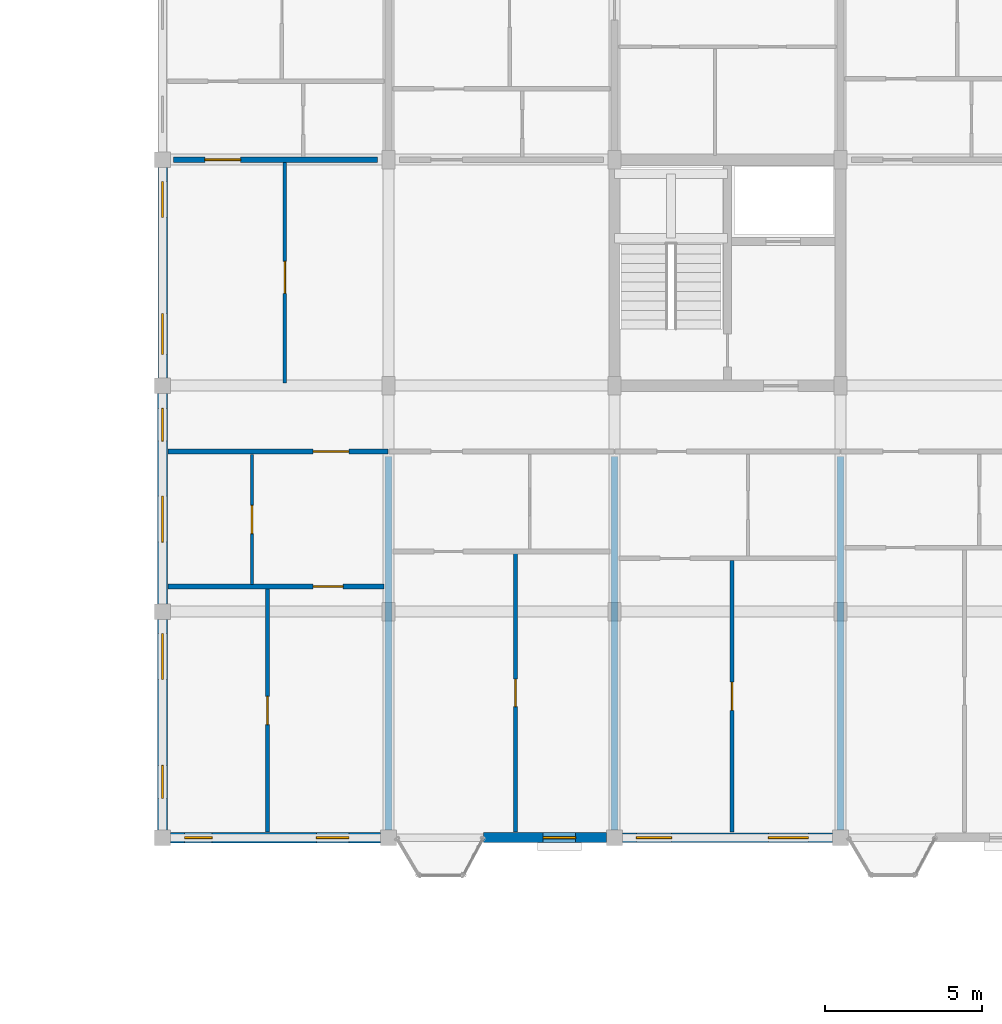
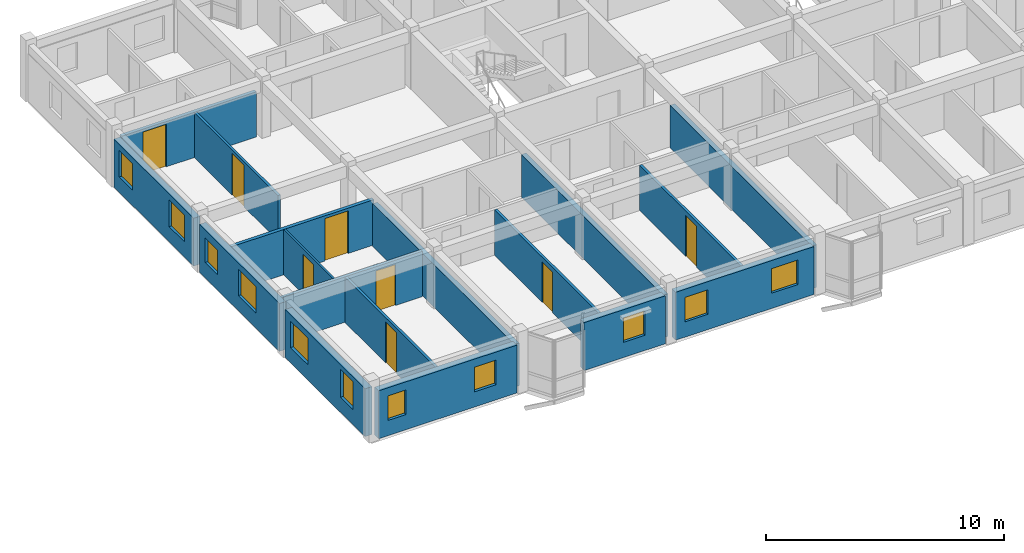
# One storey, part 59 of 70: 17 walls, 11 windows, 8 doors, 19 openings.
"""IFC4 building model written with IfcOpenShell, lengths in metres."""

from ifc_helpers import new_model, si_unit, direction, frame, frame_2d, origin, place, context, subcontext, project, spatial, rectangle, extrude, material, layer, layer_set, type_object, element, fill, save


model = new_model("IFC4")

# Units and contexts
model_context = context("Model", 3, precision=1e-05, world=origin(), true_north=direction((0.0, 1.0)))
body_context = subcontext(model_context, "Body", "Model", "MODEL_VIEW")
ifc_project = project(units=[si_unit("LENGTHUNIT", "METRE"), si_unit("AREAUNIT", "SQUARE_METRE"), si_unit("VOLUMEUNIT", "CUBIC_METRE"), si_unit("PLANEANGLEUNIT", "RADIAN"), si_unit("MASSUNIT", "GRAM", prefix="KILO"), si_unit("THERMODYNAMICTEMPERATUREUNIT", "KELVIN"), si_unit("POWERUNIT", "WATT")], contexts=[model_context])

# Site, building, storey
site_placement = place(None, origin())
site = spatial("IfcSite", under=ifc_project, at=site_placement, CompositionType="ELEMENT")
building_placement = place(site_placement, origin())
building = spatial("IfcBuilding", under=site, at=building_placement, Name="Tavuni Mirador Residences", CompositionType="ELEMENT")
storey_placement = place(building_placement, frame((0.0, 0.0, 23.39990234375)))
storey = spatial("IfcBuildingStorey", under=building, at=storey_placement, Name="L07", CompositionType="ELEMENT", Elevation=23.39990234375)

# Wall, opening, door
ifc_material_1 = material(Name="Precast concrete C40/50", Category="concrete")
ifc_layer_1 = layer(ifc_material_1, 0.1650390625, Name="Precast concrete C40/50", Category="concrete")
ifc_layer_set_1 = layer_set([ifc_layer_1], Name="Precast concrete C40/50")
wall_type_1 = type_object("IfcWallType", Name="WT-CORR165", PredefinedType="PARTITIONING", material=ifc_layer_set_1)
wall_1_placement = place(storey_placement, frame((10.97509765625, 156.300048828125, 0.0), z_axis=(0.0, 0.0, 1.0), x_axis=(1.0, 0.0, 0.0)))
wall_1 = element("IfcWall", 1, at=wall_1_placement, inside=storey, type_object=wall_type_1, Name="CORW-BLK-C-L07-0-00", PredefinedType="PARTITIONING", context=body_context, shape_type="SweptSolid", body=[
    extrude(rectangle(XDim=7.0048828125, YDim=0.1650390625, at=frame_2d((3.50244140625, 0.0))), origin(), (0.0, 0.0, 1.0), 2.320068359375),
])
opening_1_placement = place(wall_1_placement, frame((4.625, 0.0, 0.0)))
opening_1 = element("IfcOpeningElement", 2, at=opening_1_placement, cuts=wall_1, Name="Opening D-20", PredefinedType="OPENING", context=body_context, shape_type="SweptSolid", body=[
    extrude(rectangle(XDim=1.139892578125, YDim=2.179931640625, at=frame_2d((0.56982421875, 1.08984375))), frame((0.0, 0.092529296875, 0.0), z_axis=(0.0, -1.0, 0.0), x_axis=(1.0, 0.0, 0.0)), (0.0, 0.0, 1.0), 0.18505859375),
])
ifc_material_2 = material(Name="Solid core iroko timber", Category="wood")
door_type_1 = type_object("IfcDoorType", Name="DT-FD60-1140", OperationType="NOTDEFINED", PredefinedType="DOOR", material=ifc_material_2)
door_1_placement = place(opening_1_placement, origin())
door_1 = element("IfcDoor", 3, at=door_1_placement, inside=storey, type_object=door_type_1, Name="DR-2723", OperationType="SINGLE_SWING_RIGHT", OverallHeight=2.179931640625, OverallWidth=1.139892578125, PredefinedType="DOOR", context=body_context, shape_type="SweptSolid", body=[
    extrude(rectangle(XDim=1.139892578125, YDim=2.179931640625, at=frame_2d((0.56982421875, 1.08984375))), frame((0.0, 0.02490234375, 0.0), z_axis=(0.0, -1.0, 0.0), x_axis=(1.0, 0.0, 0.0)), (0.0, 0.0, 1.0), 0.050048828125),
])
fill(opening_1, door_1)

wall_2_placement = place(storey_placement, frame((11.14990234375, 165.60009765625, 0.0), z_axis=(0.0, 0.0, 1.0), x_axis=(1.0, 0.0, 0.0)))
wall_2 = element("IfcWall", 4, at=wall_2_placement, inside=storey, type_object=wall_type_1, Name="CORW-BLK-C-L07-1-00", PredefinedType="PARTITIONING", context=body_context, shape_type="SweptSolid", body=[
    extrude(rectangle(XDim=6.5, YDim=0.1650390625, at=frame_2d((3.25, 0.0))), origin(), (0.0, 0.0, 1.0), 2.320068359375),
])
opening_2_placement = place(wall_2_placement, frame((1.0, 0.0, 0.0)))
opening_2 = element("IfcOpeningElement", 5, at=opening_2_placement, cuts=wall_2, Name="Opening D-20", PredefinedType="OPENING", context=body_context, shape_type="SweptSolid", body=[
    extrude(rectangle(XDim=1.139892578125, YDim=2.179931640625, at=frame_2d((0.56982421875, 1.08984375))), frame((0.0, 0.092529296875, 0.0), z_axis=(0.0, -1.0, 0.0), x_axis=(1.0, 0.0, 0.0)), (0.0, 0.0, 1.0), 0.18505859375),
])
door_2_placement = place(opening_2_placement, origin())
door_2 = element("IfcDoor", 6, at=door_2_placement, inside=storey, type_object=door_type_1, Name="DR-2732", OperationType="SINGLE_SWING_LEFT", OverallHeight=2.179931640625, OverallWidth=1.139892578125, PredefinedType="DOOR", context=body_context, shape_type="SweptSolid", body=[
    extrude(rectangle(XDim=1.139892578125, YDim=2.179931640625, at=frame_2d((0.56982421875, 1.08984375))), frame((0.0, 0.02490234375, 0.0), z_axis=(0.0, -1.0, 0.0), x_axis=(1.0, 0.0, 0.0)), (0.0, 0.0, 1.0), 0.050048828125),
])
fill(opening_2, door_2)

# Wall, openings, windows
ifc_layer_2 = layer(ifc_material_1, 0.330078125, Name="Precast concrete C40/50", Category="concrete")
ifc_layer_set_2 = layer_set([ifc_layer_2], Name="Precast concrete C40/50")
wall_type_2 = type_object("IfcWallType", Name="WT-EXT-COR330", PredefinedType="SOLIDWALL", material=ifc_layer_set_2)
wall_3_placement = place(storey_placement, frame((11.050048828125, 144.0, 0.0), z_axis=(0.0, 0.0, 1.0), x_axis=(1.0, 0.0, 0.0)))
wall_3 = element("IfcWall", 7, at=wall_3_placement, inside=storey, type_object=wall_type_2, Name="EW-BLK-C-L07-S00", PredefinedType="SOLIDWALL", context=body_context, shape_type="SweptSolid", body=[
    extrude(rectangle(XDim=6.699951171875, YDim=0.330078125, at=frame_2d((3.35009765625, 0.0))), origin(), (0.0, 0.0, 1.0), 2.455078125),
])
opening_3_placement = place(wall_3_placement, frame((0.449951171875, 0.0, 0.780029296875)))
opening_3 = element("IfcOpeningElement", 8, at=opening_3_placement, cuts=wall_3, Name="Opening WN-09", PredefinedType="OPENING", context=body_context, shape_type="SweptSolid", body=[
    extrude(rectangle(XDim=0.8798828125, YDim=1.260009765625, at=frame_2d((0.43994140625, 0.6298828125))), frame((0.0, 0.175048828125, 0.0), z_axis=(0.0, -1.0, 0.0), x_axis=(1.0, 0.0, 0.0)), (0.0, 0.0, 1.0), 0.35009765625),
])
opening_4_placement = place(wall_3_placement, frame((4.64990234375, 0.0, 0.780029296875)))
opening_4 = element("IfcOpeningElement", 9, at=opening_4_placement, cuts=wall_3, Name="Opening WN-11", PredefinedType="OPENING", context=body_context, shape_type="SweptSolid", body=[
    extrude(rectangle(XDim=1.0400390625, YDim=1.260009765625, at=frame_2d((0.52001953125, 0.6298828125))), frame((0.0, 0.175048828125, 0.0), z_axis=(0.0, -1.0, 0.0), x_axis=(1.0, 0.0, 0.0)), (0.0, 0.0, 1.0), 0.35009765625),
])
ifc_material_3 = material(Name="Laminated solar-control glass", Category="glass")
window_type_1 = type_object("IfcWindowType", Name="WNT-09", PartitioningType="SINGLE_PANEL", PredefinedType="WINDOW", material=ifc_material_3)
window_1_placement = place(opening_3_placement, origin())
window_1 = element("IfcWindow", 10, at=window_1_placement, inside=storey, type_object=window_type_1, Name="WIN-1141", OverallHeight=1.260009765625, OverallWidth=0.8798828125, PartitioningType="SINGLE_PANEL", PredefinedType="WINDOW", context=body_context, shape_type="SweptSolid", body=[
    extrude(rectangle(XDim=0.8798828125, YDim=1.260009765625, at=frame_2d((0.43994140625, 0.6298828125))), frame((0.0, 0.030029296875, 0.0), z_axis=(0.0, -1.0, 0.0), x_axis=(1.0, 0.0, 0.0)), (0.0, 0.0, 1.0), 0.06005859375),
])
fill(opening_3, window_1)
window_type_2 = type_object("IfcWindowType", Name="WNT-11", PartitioningType="SINGLE_PANEL", PredefinedType="WINDOW", material=ifc_material_3)
window_2_placement = place(opening_4_placement, origin())
window_2 = element("IfcWindow", 11, at=window_2_placement, inside=storey, type_object=window_type_2, Name="WIN-1142", OverallHeight=1.260009765625, OverallWidth=1.0400390625, PartitioningType="SINGLE_PANEL", PredefinedType="WINDOW", context=body_context, shape_type="SweptSolid", body=[
    extrude(rectangle(XDim=1.0400390625, YDim=1.260009765625, at=frame_2d((0.52001953125, 0.6298828125))), frame((0.0, 0.030029296875, 0.0), z_axis=(0.0, -1.0, 0.0), x_axis=(1.0, 0.0, 0.0)), (0.0, 0.0, 1.0), 0.06005859375),
])
fill(opening_4, window_2)

wall_4_placement = place(storey_placement, frame((10.800048828125, 150.949951171875, 0.0), z_axis=(0.0, 0.0, 1.0), x_axis=(0.0, -1.0, 0.0)))
wall_4 = element("IfcWall", 12, at=wall_4_placement, inside=storey, type_object=wall_type_2, Name="EW-BLK-C-L07-W00", PredefinedType="SOLIDWALL", context=body_context, shape_type="SweptSolid", body=[
    extrude(rectangle(XDim=6.699951171875, YDim=0.330078125, at=frame_2d((3.35009765625, 0.0))), origin(), (0.0, 0.0, 1.0), 2.455078125),
])
opening_5_placement = place(wall_4_placement, frame((0.449951171875, 0.0, 0.780029296875)))
opening_5 = element("IfcOpeningElement", 13, at=opening_5_placement, cuts=wall_4, Name="Opening WN-24", PredefinedType="OPENING", context=body_context, shape_type="SweptSolid", body=[
    extrude(rectangle(XDim=1.4599609375, YDim=1.360107421875, at=frame_2d((0.72998046875, 0.68017578125))), frame((0.0, 0.175048828125, 0.0), z_axis=(0.0, -1.0, 0.0), x_axis=(1.0, 0.0, 0.0)), (0.0, 0.0, 1.0), 0.35009765625),
])
opening_6_placement = place(wall_4_placement, frame((4.64990234375, 0.0, 0.780029296875)))
opening_6 = element("IfcOpeningElement", 14, at=opening_6_placement, cuts=wall_4, Name="Opening WN-26", PredefinedType="OPENING", context=body_context, shape_type="SweptSolid", body=[
    extrude(rectangle(XDim=1.050048828125, YDim=1.43994140625, at=frame_2d((0.52490234375, 0.719970703125))), frame((0.0, 0.175048828125, 0.0), z_axis=(0.0, -1.0, 0.0), x_axis=(1.0, 0.0, 0.0)), (0.0, 0.0, 1.0), 0.35009765625),
])
window_type_3 = type_object("IfcWindowType", Name="WNT-24", PartitioningType="SINGLE_PANEL", PredefinedType="WINDOW", material=ifc_material_3)
window_3_placement = place(opening_5_placement, origin())
window_3 = element("IfcWindow", 15, at=window_3_placement, inside=storey, type_object=window_type_3, Name="WIN-1186", OverallHeight=1.360107421875, OverallWidth=1.4599609375, PartitioningType="SINGLE_PANEL", PredefinedType="WINDOW", context=body_context, shape_type="SweptSolid", body=[
    extrude(rectangle(XDim=1.4599609375, YDim=1.360107421875, at=frame_2d((0.72998046875, 0.68017578125))), frame((0.0, 0.030029296875, 0.0), z_axis=(0.0, -1.0, 0.0), x_axis=(1.0, 0.0, 0.0)), (0.0, 0.0, 1.0), 0.06005859375),
])
fill(opening_5, window_3)
window_type_4 = type_object("IfcWindowType", Name="WNT-26", PartitioningType="SINGLE_PANEL", PredefinedType="WINDOW", material=ifc_material_3)
window_4_placement = place(opening_6_placement, origin())
window_4 = element("IfcWindow", 16, at=window_4_placement, inside=storey, type_object=window_type_4, Name="WIN-1187", OverallHeight=1.43994140625, OverallWidth=1.050048828125, PartitioningType="SINGLE_PANEL", PredefinedType="WINDOW", context=body_context, shape_type="SweptSolid", body=[
    extrude(rectangle(XDim=1.050048828125, YDim=1.43994140625, at=frame_2d((0.52490234375, 0.719970703125))), frame((0.0, 0.030029296875, 0.0), z_axis=(0.0, -1.0, 0.0), x_axis=(1.0, 0.0, 0.0)), (0.0, 0.0, 1.0), 0.06005859375),
])
fill(opening_6, window_4)

ifc_material_4 = material(Name="Sgraffito lime-rendered precast concrete C40/50", Category="concrete")
ifc_layer_3 = layer(ifc_material_4, 0.304931640625, Name="Sgraffito lime-rendered precast concrete C40/50", Category="concrete")
ifc_layer_set_3 = layer_set([ifc_layer_3], Name="Sgraffito lime-rendered precast concrete C40/50")
wall_type_3 = type_object("IfcWallType", Name="WT-EXT-PC305", PredefinedType="SOLIDWALL", material=ifc_layer_set_3)
wall_5_placement = place(storey_placement, frame((25.449951171875, 144.0, 0.0), z_axis=(0.0, 0.0, 1.0), x_axis=(1.0, 0.0, 0.0)))
wall_5 = element("IfcWall", 17, at=wall_5_placement, inside=storey, type_object=wall_type_3, Name="EW-BLK-C-L07-S02", PredefinedType="SOLIDWALL", context=body_context, shape_type="SweptSolid", body=[
    extrude(rectangle(XDim=6.699951171875, YDim=0.304931640625, at=frame_2d((3.35009765625, 0.0))), origin(), (0.0, 0.0, 1.0), 2.455078125),
])
opening_7_placement = place(wall_5_placement, frame((0.449951171875, 0.0, 0.780029296875)))
opening_7 = element("IfcOpeningElement", 18, at=opening_7_placement, cuts=wall_5, Name="Opening WN-12", PredefinedType="OPENING", context=body_context, shape_type="SweptSolid", body=[
    extrude(rectangle(XDim=1.1201171875, YDim=1.260009765625, at=frame_2d((0.56005859375, 0.6298828125))), frame((0.0, 0.16259765625, 0.0), z_axis=(0.0, -1.0, 0.0), x_axis=(1.0, 0.0, 0.0)), (0.0, 0.0, 1.0), 0.324951171875),
])
opening_8_placement = place(wall_5_placement, frame((4.64990234375, 0.0, 0.780029296875)))
opening_8 = element("IfcOpeningElement", 19, at=opening_8_placement, cuts=wall_5, Name="Opening WN-14", PredefinedType="OPENING", context=body_context, shape_type="SweptSolid", body=[
    extrude(rectangle(XDim=1.280029296875, YDim=1.260009765625, at=frame_2d((0.64013671875, 0.6298828125))), frame((0.0, 0.16259765625, 0.0), z_axis=(0.0, -1.0, 0.0), x_axis=(1.0, 0.0, 0.0)), (0.0, 0.0, 1.0), 0.324951171875),
])
window_type_5 = type_object("IfcWindowType", Name="WNT-12", PartitioningType="SINGLE_PANEL", PredefinedType="WINDOW", material=ifc_material_3)
window_5_placement = place(opening_7_placement, origin())
window_5 = element("IfcWindow", 20, at=window_5_placement, inside=storey, type_object=window_type_5, Name="WIN-1144", OverallHeight=1.260009765625, OverallWidth=1.1201171875, PartitioningType="SINGLE_PANEL", PredefinedType="WINDOW", context=body_context, shape_type="SweptSolid", body=[
    extrude(rectangle(XDim=1.1201171875, YDim=1.260009765625, at=frame_2d((0.56005859375, 0.6298828125))), frame((0.0, 0.030029296875, 0.0), z_axis=(0.0, -1.0, 0.0), x_axis=(1.0, 0.0, 0.0)), (0.0, 0.0, 1.0), 0.06005859375),
])
fill(opening_7, window_5)
window_type_6 = type_object("IfcWindowType", Name="WNT-14", PartitioningType="SINGLE_PANEL", PredefinedType="WINDOW", material=ifc_material_3)
window_6_placement = place(opening_8_placement, origin())
window_6 = element("IfcWindow", 21, at=window_6_placement, inside=storey, type_object=window_type_6, Name="WIN-1145", OverallHeight=1.260009765625, OverallWidth=1.280029296875, PartitioningType="SINGLE_PANEL", PredefinedType="WINDOW", context=body_context, shape_type="SweptSolid", body=[
    extrude(rectangle(XDim=1.280029296875, YDim=1.260009765625, at=frame_2d((0.64013671875, 0.6298828125))), frame((0.0, 0.030029296875, 0.0), z_axis=(0.0, -1.0, 0.0), x_axis=(1.0, 0.0, 0.0)), (0.0, 0.0, 1.0), 0.06005859375),
])
fill(opening_8, window_6)

wall_6_placement = place(storey_placement, frame((10.800048828125, 165.35009765625, 0.0), z_axis=(0.0, 0.0, 1.0), x_axis=(0.0, -1.0, 0.0)))
wall_6 = element("IfcWall", 22, at=wall_6_placement, inside=storey, type_object=wall_type_3, Name="EW-BLK-C-L07-W02", PredefinedType="SOLIDWALL", context=body_context, shape_type="SweptSolid", body=[
    extrude(rectangle(XDim=6.7001953125, YDim=0.304931640625, at=frame_2d((3.35009765625, 0.0))), origin(), (0.0, 0.0, 1.0), 2.455078125),
])
opening_9_placement = place(wall_6_placement, frame((0.449951171875, 0.0, 0.780029296875)))
opening_9 = element("IfcOpeningElement", 23, at=opening_9_placement, cuts=wall_6, Name="Opening WN-20", PredefinedType="OPENING", context=body_context, shape_type="SweptSolid", body=[
    extrude(rectangle(XDim=1.139892578125, YDim=1.360107421875, at=frame_2d((0.56982421875, 0.68017578125))), frame((0.0, 0.16259765625, 0.0), z_axis=(0.0, -1.0, 0.0), x_axis=(1.0, 0.0, 0.0)), (0.0, 0.0, 1.0), 0.324951171875),
])
opening_10_placement = place(wall_6_placement, frame((4.64990234375, 0.0, 0.780029296875)))
opening_10 = element("IfcOpeningElement", 24, at=opening_10_placement, cuts=wall_6, Name="Opening WN-22", PredefinedType="OPENING", context=body_context, shape_type="SweptSolid", body=[
    extrude(rectangle(XDim=1.300048828125, YDim=1.360107421875, at=frame_2d((0.64990234375, 0.68017578125))), frame((0.0, 0.16259765625, 0.0), z_axis=(0.0, -1.0, 0.0), x_axis=(1.0, 0.0, 0.0)), (0.0, 0.0, 1.0), 0.324951171875),
])
window_type_7 = type_object("IfcWindowType", Name="WNT-20", PartitioningType="SINGLE_PANEL", PredefinedType="WINDOW", material=ifc_material_3)
window_7_placement = place(opening_9_placement, origin())
window_7 = element("IfcWindow", 25, at=window_7_placement, inside=storey, type_object=window_type_7, Name="WIN-1182", OverallHeight=1.360107421875, OverallWidth=1.139892578125, PartitioningType="SINGLE_PANEL", PredefinedType="WINDOW", context=body_context, shape_type="SweptSolid", body=[
    extrude(rectangle(XDim=1.139892578125, YDim=1.360107421875, at=frame_2d((0.56982421875, 0.68017578125))), frame((0.0, 0.030029296875, 0.0), z_axis=(0.0, -1.0, 0.0), x_axis=(1.0, 0.0, 0.0)), (0.0, 0.0, 1.0), 0.06005859375),
])
fill(opening_9, window_7)
window_type_8 = type_object("IfcWindowType", Name="WNT-22", PartitioningType="SINGLE_PANEL", PredefinedType="WINDOW", material=ifc_material_3)
window_8_placement = place(opening_10_placement, origin())
window_8 = element("IfcWindow", 26, at=window_8_placement, inside=storey, type_object=window_type_8, Name="WIN-1183", OverallHeight=1.360107421875, OverallWidth=1.300048828125, PartitioningType="SINGLE_PANEL", PredefinedType="WINDOW", context=body_context, shape_type="SweptSolid", body=[
    extrude(rectangle(XDim=1.300048828125, YDim=1.360107421875, at=frame_2d((0.64990234375, 0.68017578125))), frame((0.0, 0.030029296875, 0.0), z_axis=(0.0, -1.0, 0.0), x_axis=(1.0, 0.0, 0.0)), (0.0, 0.0, 1.0), 0.06005859375),
])
fill(opening_10, window_8)

# Wall, opening, window
ifc_layer_4 = layer(ifc_material_4, 0.31494140625, Name="Sgraffito lime-rendered precast concrete C40/50", Category="concrete")
ifc_layer_set_4 = layer_set([ifc_layer_4], Name="Sgraffito lime-rendered precast concrete C40/50")
wall_type_4 = type_object("IfcWallType", Name="WT-EXT-PC315", PredefinedType="SOLIDWALL", material=ifc_layer_set_4)
wall_7_placement = place(storey_placement, frame((21.02001953125, 144.0, 0.0), z_axis=(0.0, 0.0, 1.0), x_axis=(1.0, 0.0, 0.0)))
wall_7 = element("IfcWall", 27, at=wall_7_placement, inside=storey, type_object=wall_type_4, Name="EW-BLK-C-L07-S01", PredefinedType="SOLIDWALL", context=body_context, shape_type="SweptSolid", body=[
    extrude(rectangle(XDim=3.929931640625, YDim=0.31494140625, at=frame_2d((1.96484375, 0.0))), origin(), (0.0, 0.0, 1.0), 2.455078125),
])
opening_11_placement = place(wall_7_placement, frame((1.905029296875, 0.0, 0.780029296875)))
opening_11 = element("IfcOpeningElement", 28, at=opening_11_placement, cuts=wall_7, Name="Opening WN-11", PredefinedType="OPENING", context=body_context, shape_type="SweptSolid", body=[
    extrude(rectangle(XDim=1.0400390625, YDim=1.260009765625, at=frame_2d((0.52001953125, 0.6298828125))), frame((0.0, 0.16748046875, 0.0), z_axis=(0.0, -1.0, 0.0), x_axis=(1.0, 0.0, 0.0)), (0.0, 0.0, 1.0), 0.3349609375),
])
window_9_placement = place(opening_11_placement, origin())
window_9 = element("IfcWindow", 29, at=window_9_placement, inside=storey, type_object=window_type_2, Name="WIN-1143", OverallHeight=1.260009765625, OverallWidth=1.0400390625, PartitioningType="SINGLE_PANEL", PredefinedType="WINDOW", context=body_context, shape_type="SweptSolid", body=[
    extrude(rectangle(XDim=1.0400390625, YDim=1.260009765625, at=frame_2d((0.52001953125, 0.6298828125))), frame((0.0, 0.030029296875, 0.0), z_axis=(0.0, -1.0, 0.0), x_axis=(1.0, 0.0, 0.0)), (0.0, 0.0, 1.0), 0.06005859375),
])
fill(opening_11, window_9)

# Wall, openings, windows
wall_8_placement = place(storey_placement, frame((10.800048828125, 158.14990234375, 0.0), z_axis=(0.0, 0.0, 1.0), x_axis=(0.0, -1.0, 0.0)))
wall_8 = element("IfcWall", 30, at=wall_8_placement, inside=storey, type_object=wall_type_4, Name="EW-BLK-C-L07-W01", PredefinedType="SOLIDWALL", context=body_context, shape_type="SweptSolid", body=[
    extrude(rectangle(XDim=6.699951171875, YDim=0.31494140625, at=frame_2d((3.35009765625, 0.0))), origin(), (0.0, 0.0, 1.0), 2.455078125),
])
opening_12_placement = place(wall_8_placement, frame((0.47509765625, 0.0, 0.780029296875)))
opening_12 = element("IfcOpeningElement", 31, at=opening_12_placement, cuts=wall_8, Name="Opening WN-11", PredefinedType="OPENING", context=body_context, shape_type="SweptSolid", body=[
    extrude(rectangle(XDim=1.0400390625, YDim=1.260009765625, at=frame_2d((0.52001953125, 0.6298828125))), frame((0.0, 0.16748046875, 0.0), z_axis=(0.0, -1.0, 0.0), x_axis=(1.0, 0.0, 0.0)), (0.0, 0.0, 1.0), 0.3349609375),
])
opening_13_placement = place(wall_8_placement, frame((3.27001953125, 0.0, 0.780029296875)))
opening_13 = element("IfcOpeningElement", 32, at=opening_13_placement, cuts=wall_8, Name="Opening WN-24", PredefinedType="OPENING", context=body_context, shape_type="SweptSolid", body=[
    extrude(rectangle(XDim=1.4599609375, YDim=1.360107421875, at=frame_2d((0.72998046875, 0.68017578125))), frame((0.0, 0.16748046875, 0.0), z_axis=(0.0, -1.0, 0.0), x_axis=(1.0, 0.0, 0.0)), (0.0, 0.0, 1.0), 0.3349609375),
])
window_10_placement = place(opening_12_placement, origin())
window_10 = element("IfcWindow", 33, at=window_10_placement, inside=storey, type_object=window_type_2, Name="WIN-1184", OverallHeight=1.260009765625, OverallWidth=1.0400390625, PartitioningType="SINGLE_PANEL", PredefinedType="WINDOW", context=body_context, shape_type="SweptSolid", body=[
    extrude(rectangle(XDim=1.0400390625, YDim=1.260009765625, at=frame_2d((0.52001953125, 0.6298828125))), frame((0.0, 0.030029296875, 0.0), z_axis=(0.0, -1.0, 0.0), x_axis=(1.0, 0.0, 0.0)), (0.0, 0.0, 1.0), 0.06005859375),
])
fill(opening_12, window_10)
window_11_placement = place(opening_13_placement, origin())
window_11 = element("IfcWindow", 34, at=window_11_placement, inside=storey, type_object=window_type_3, Name="WIN-1185", OverallHeight=1.360107421875, OverallWidth=1.4599609375, PartitioningType="SINGLE_PANEL", PredefinedType="WINDOW", context=body_context, shape_type="SweptSolid", body=[
    extrude(rectangle(XDim=1.4599609375, YDim=1.360107421875, at=frame_2d((0.72998046875, 0.68017578125))), frame((0.0, 0.030029296875, 0.0), z_axis=(0.0, -1.0, 0.0), x_axis=(1.0, 0.0, 0.0)), (0.0, 0.0, 1.0), 0.06005859375),
])
fill(opening_13, window_11)

# Wall, opening, door
ifc_material_5 = material(Name="Acoustic gypsum and concrete block partition", Category="concrete")
ifc_layer_5 = layer(ifc_material_5, 0.094970703125, Name="Acoustic gypsum and concrete block partition", Category="concrete")
ifc_layer_set_5 = layer_set([ifc_layer_5], Name="Acoustic gypsum and concrete block partition")
wall_type_5 = type_object("IfcWallType", Name="WT-PART095", PredefinedType="PARTITIONING", material=ifc_layer_set_5)
wall_9_placement = place(storey_placement, frame((13.64990234375, 152.070068359375, 0.0), z_axis=(0.0, 0.0, 1.0), x_axis=(0.0, 1.0, 0.0)))
wall_9 = element("IfcWall", 35, at=wall_9_placement, inside=storey, type_object=wall_type_5, Name="PW-BLK-C-L07-S00-IN1", PredefinedType="PARTITIONING", context=body_context, shape_type="SweptSolid", body=[
    extrude(rectangle(XDim=4.139892578125, YDim=0.094970703125, at=frame_2d((2.06982421875, 0.0))), origin(), (0.0, 0.0, 1.0), 2.320068359375),
])
opening_14_placement = place(wall_9_placement, frame((1.6201171875, 0.0, 0.0)))
opening_14 = element("IfcOpeningElement", 36, at=opening_14_placement, cuts=wall_9, Name="Opening D-09", PredefinedType="OPENING", context=body_context, shape_type="SweptSolid", body=[
    extrude(rectangle(XDim=0.89990234375, YDim=2.050048828125, at=frame_2d((0.449951171875, 1.02490234375))), frame((0.0, 0.0576171875, 0.0), z_axis=(0.0, -1.0, 0.0), x_axis=(1.0, 0.0, 0.0)), (0.0, 0.0, 1.0), 0.114990234375),
])
door_type_2 = type_object("IfcDoorType", Name="DT-WC900", OperationType="NOTDEFINED", PredefinedType="DOOR", material=ifc_material_2)
door_3_placement = place(opening_14_placement, origin())
door_3 = element("IfcDoor", 37, at=door_3_placement, inside=storey, type_object=door_type_2, Name="DR-4019", OperationType="SINGLE_SWING_LEFT", OverallHeight=2.050048828125, OverallWidth=0.89990234375, PredefinedType="DOOR", context=body_context, shape_type="SweptSolid", body=[
    extrude(rectangle(XDim=0.89990234375, YDim=2.050048828125, at=frame_2d((0.449951171875, 1.02490234375))), frame((0.0, 0.02490234375, 0.0), z_axis=(0.0, -1.0, 0.0), x_axis=(1.0, 0.0, 0.0)), (0.0, 0.0, 1.0), 0.050048828125),
])
fill(opening_14, door_3)

ifc_layer_6 = layer(ifc_material_5, 0.114990234375, Name="Acoustic gypsum and concrete block partition", Category="concrete")
ifc_layer_set_6 = layer_set([ifc_layer_6], Name="Acoustic gypsum and concrete block partition")
wall_type_6 = type_object("IfcWallType", Name="WT-PART115", PredefinedType="PARTITIONING", material=ifc_layer_set_6)
wall_10_placement = place(storey_placement, frame((14.699951171875, 158.489990234375, 0.0), z_axis=(0.0, 0.0, 1.0), x_axis=(0.0, 1.0, 0.0)))
wall_10 = element("IfcWall", 38, at=wall_10_placement, inside=storey, type_object=wall_type_6, Name="PW-SPN-BLK-C-L07-00", PredefinedType="PARTITIONING", context=body_context, shape_type="SweptSolid", body=[
    extrude(rectangle(XDim=7.02001953125, YDim=0.114990234375, at=frame_2d((3.510009765625, 0.0))), origin(), (0.0, 0.0, 1.0), 2.320068359375),
])
opening_15_placement = place(wall_10_placement, frame((2.85009765625, 0.0, 0.0)))
opening_15 = element("IfcOpeningElement", 39, at=opening_15_placement, cuts=wall_10, Name="Opening D-13", PredefinedType="OPENING", context=body_context, shape_type="SweptSolid", body=[
    extrude(rectangle(XDim=1.02001953125, YDim=2.14990234375, at=frame_2d((0.510009765625, 1.074951171875))), frame((0.0, 0.0673828125, 0.0), z_axis=(0.0, -1.0, 0.0), x_axis=(1.0, 0.0, 0.0)), (0.0, 0.0, 1.0), 0.135009765625),
])
door_type_3 = type_object("IfcDoorType", Name="DT-MTG1020", OperationType="NOTDEFINED", PredefinedType="DOOR", material=ifc_material_2)
door_4_placement = place(opening_15_placement, origin())
door_4 = element("IfcDoor", 40, at=door_4_placement, inside=storey, type_object=door_type_3, Name="DR-4017", OperationType="SINGLE_SWING_RIGHT", OverallHeight=2.14990234375, OverallWidth=1.02001953125, PredefinedType="DOOR", context=body_context, shape_type="SweptSolid", body=[
    extrude(rectangle(XDim=1.02001953125, YDim=2.14990234375, at=frame_2d((0.510009765625, 1.074951171875))), frame((0.0, 0.02490234375, 0.0), z_axis=(0.0, -1.0, 0.0), x_axis=(1.0, 0.0, 0.0)), (0.0, 0.0, 1.0), 0.050048828125),
])
fill(opening_15, door_4)

ifc_layer_7 = layer(ifc_material_5, 0.125, Name="Acoustic gypsum and concrete block partition", Category="concrete")
ifc_layer_set_7 = layer_set([ifc_layer_7], Name="Acoustic gypsum and concrete block partition")
wall_type_7 = type_object("IfcWallType", Name="WT-PART125", PredefinedType="PARTITIONING", material=ifc_layer_set_7)
wall_11_placement = place(storey_placement, frame((14.14990234375, 144.175048828125, 0.0), z_axis=(0.0, 0.0, 1.0), x_axis=(0.0, 1.0, 0.0)))
wall_11 = element("IfcWall", 41, at=wall_11_placement, inside=storey, type_object=wall_type_7, Name="PW-BLK-C-L07-S00-OUT", PredefinedType="PARTITIONING", context=body_context, shape_type="SweptSolid", body=[
    extrude(rectangle(XDim=7.7548828125, YDim=0.125, at=frame_2d((3.87744140625, 0.0))), origin(), (0.0, 0.0, 1.0), 2.320068359375),
])
opening_16_placement = place(wall_11_placement, frame((3.427490234375, 0.0, 0.0)))
opening_16 = element("IfcOpeningElement", 42, at=opening_16_placement, cuts=wall_11, Name="Opening D-07", PredefinedType="OPENING", context=body_context, shape_type="SweptSolid", body=[
    extrude(rectangle(XDim=0.89990234375, YDim=2.10009765625, at=frame_2d((0.449951171875, 1.050048828125))), frame((0.0, 0.072509765625, 0.0), z_axis=(0.0, -1.0, 0.0), x_axis=(1.0, 0.0, 0.0)), (0.0, 0.0, 1.0), 0.14501953125),
])
door_type_4 = type_object("IfcDoorType", Name="DT-BED900", OperationType="NOTDEFINED", PredefinedType="DOOR", material=ifc_material_2)
door_5_placement = place(opening_16_placement, origin())
door_5 = element("IfcDoor", 43, at=door_5_placement, inside=storey, type_object=door_type_4, Name="DR-4018", OperationType="SINGLE_SWING_RIGHT", OverallHeight=2.10009765625, OverallWidth=0.89990234375, PredefinedType="DOOR", context=body_context, shape_type="SweptSolid", body=[
    extrude(rectangle(XDim=0.89990234375, YDim=2.10009765625, at=frame_2d((0.449951171875, 1.050048828125))), frame((0.0, 0.02490234375, 0.0), z_axis=(0.0, -1.0, 0.0), x_axis=(1.0, 0.0, 0.0)), (0.0, 0.0, 1.0), 0.050048828125),
])
fill(opening_16, door_5)

wall_12_placement = place(storey_placement, frame((22.050048828125, 144.175048828125, 0.0), z_axis=(0.0, 0.0, 1.0), x_axis=(0.0, 1.0, 0.0)))
wall_12 = element("IfcWall", 44, at=wall_12_placement, inside=storey, type_object=wall_type_7, Name="PW-BLK-C-L07-S01-OUT", PredefinedType="PARTITIONING", context=body_context, shape_type="SweptSolid", body=[
    extrude(rectangle(XDim=8.875, YDim=0.125, at=frame_2d((4.4375, 0.0))), origin(), (0.0, 0.0, 1.0), 2.320068359375),
])
opening_17_placement = place(wall_12_placement, frame((3.99755859375, 0.0, 0.0)))
opening_17 = element("IfcOpeningElement", 45, at=opening_17_placement, cuts=wall_12, Name="Opening D-08", PredefinedType="OPENING", context=body_context, shape_type="SweptSolid", body=[
    extrude(rectangle(XDim=0.8798828125, YDim=2.080078125, at=frame_2d((0.43994140625, 1.0400390625))), frame((0.0, 0.072509765625, 0.0), z_axis=(0.0, -1.0, 0.0), x_axis=(1.0, 0.0, 0.0)), (0.0, 0.0, 1.0), 0.14501953125),
])
door_type_5 = type_object("IfcDoorType", Name="DT-BED880", OperationType="NOTDEFINED", PredefinedType="DOOR", material=ifc_material_2)
door_6_placement = place(opening_17_placement, origin())
door_6 = element("IfcDoor", 46, at=door_6_placement, inside=storey, type_object=door_type_5, Name="DR-4024", OperationType="SINGLE_SWING_LEFT", OverallHeight=2.080078125, OverallWidth=0.8798828125, PredefinedType="DOOR", context=body_context, shape_type="SweptSolid", body=[
    extrude(rectangle(XDim=0.8798828125, YDim=2.080078125, at=frame_2d((0.43994140625, 1.0400390625))), frame((0.0, 0.02490234375, 0.0), z_axis=(0.0, -1.0, 0.0), x_axis=(1.0, 0.0, 0.0)), (0.0, 0.0, 1.0), 0.050048828125),
])
fill(opening_17, door_6)

wall_13_placement = place(storey_placement, frame((28.949951171875, 144.175048828125, 0.0), z_axis=(0.0, 0.0, 1.0), x_axis=(0.0, 1.0, 0.0)))
wall_13 = element("IfcWall", 47, at=wall_13_placement, inside=storey, type_object=wall_type_7, Name="PW-BLK-C-L07-S02-OUT", PredefinedType="PARTITIONING", context=body_context, shape_type="SweptSolid", body=[
    extrude(rectangle(XDim=8.655029296875, YDim=0.125, at=frame_2d((4.32763671875, 0.0))), origin(), (0.0, 0.0, 1.0), 2.320068359375),
])
opening_18_placement = place(wall_13_placement, frame((3.87744140625, 0.0, 0.0)))
opening_18 = element("IfcOpeningElement", 48, at=opening_18_placement, cuts=wall_13, Name="Opening D-07", PredefinedType="OPENING", context=body_context, shape_type="SweptSolid", body=[
    extrude(rectangle(XDim=0.89990234375, YDim=2.10009765625, at=frame_2d((0.449951171875, 1.050048828125))), frame((0.0, 0.072509765625, 0.0), z_axis=(0.0, -1.0, 0.0), x_axis=(1.0, 0.0, 0.0)), (0.0, 0.0, 1.0), 0.14501953125),
])
door_7_placement = place(opening_18_placement, origin())
door_7 = element("IfcDoor", 49, at=door_7_placement, inside=storey, type_object=door_type_4, Name="DR-4030", OperationType="SINGLE_SWING_RIGHT", OverallHeight=2.10009765625, OverallWidth=0.89990234375, PredefinedType="DOOR", context=body_context, shape_type="SweptSolid", body=[
    extrude(rectangle(XDim=0.89990234375, YDim=2.10009765625, at=frame_2d((0.449951171875, 1.050048828125))), frame((0.0, 0.02490234375, 0.0), z_axis=(0.0, -1.0, 0.0), x_axis=(1.0, 0.0, 0.0)), (0.0, 0.0, 1.0), 0.050048828125),
])
fill(opening_18, door_7)

ifc_layer_8 = layer(ifc_material_5, 0.14990234375, Name="Acoustic gypsum and concrete block partition", Category="concrete")
ifc_layer_set_8 = layer_set([ifc_layer_8], Name="Acoustic gypsum and concrete block partition")
wall_type_8 = type_object("IfcWallType", Name="WT-PART150", PredefinedType="PARTITIONING", material=ifc_layer_set_8)
wall_14_placement = place(storey_placement, frame((10.97509765625, 152.0, 0.0), z_axis=(0.0, 0.0, 1.0), x_axis=(1.0, 0.0, 0.0)))
wall_14 = element("IfcWall", 50, at=wall_14_placement, inside=storey, type_object=wall_type_8, Name="PW-BLK-C-L07-S00-MID", PredefinedType="PARTITIONING", context=body_context, shape_type="SweptSolid", body=[
    extrude(rectangle(XDim=6.885009765625, YDim=0.14990234375, at=frame_2d((3.4423828125, 0.0))), origin(), (0.0, 0.0, 1.0), 2.320068359375),
])
opening_19_placement = place(wall_14_placement, frame((4.625, 0.0, 0.0)))
opening_19 = element("IfcOpeningElement", 51, at=opening_19_placement, cuts=wall_14, Name="Opening D-05", PredefinedType="OPENING", context=body_context, shape_type="SweptSolid", body=[
    extrude(rectangle(XDim=0.949951171875, YDim=2.10009765625, at=frame_2d((0.47509765625, 1.050048828125))), frame((0.0, 0.0849609375, 0.0), z_axis=(0.0, -1.0, 0.0), x_axis=(1.0, 0.0, 0.0)), (0.0, 0.0, 1.0), 0.169921875),
])
door_type_6 = type_object("IfcDoorType", Name="DT-INT950", OperationType="NOTDEFINED", PredefinedType="DOOR", material=ifc_material_2)
door_8_placement = place(opening_19_placement, origin())
door_8 = element("IfcDoor", 52, at=door_8_placement, inside=storey, type_object=door_type_6, Name="DR-4020", OperationType="SINGLE_SWING_LEFT", OverallHeight=2.10009765625, OverallWidth=0.949951171875, PredefinedType="DOOR", context=body_context, shape_type="SweptSolid", body=[
    extrude(rectangle(XDim=0.949951171875, YDim=2.10009765625, at=frame_2d((0.47509765625, 1.050048828125))), frame((0.0, 0.02490234375, 0.0), z_axis=(0.0, -1.0, 0.0), x_axis=(1.0, 0.0, 0.0)), (0.0, 0.0, 1.0), 0.050048828125),
])
fill(opening_19, door_8)

# Walls
ifc_layer_9 = layer(ifc_material_1, 0.235107421875, Name="Precast concrete C40/50", Category="concrete")
ifc_layer_set_9 = layer_set([ifc_layer_9], Name="Precast concrete C40/50")
wall_type_9 = type_object("IfcWallType", Name="WT-XW235", PredefinedType="SOLIDWALL", material=ifc_layer_set_9)
for number, where, z_axis, x_axis, name in (
    (53, (18.0, 144.25, 0.0), (0.0, 0.0, 1.0), (0.0, 1.0, 0.0), "XW-BLK-C-L07-S-01"),
    (54, (25.199951171875, 144.25, 0.0), (0.0, 0.0, 1.0), (0.0, 1.0, 0.0), "XW-BLK-C-L07-S-02"),
    (55, (32.39990234375, 144.25, 0.0), (0.0, 0.0, 1.0), (0.0, 1.0, 0.0), "XW-BLK-C-L07-S-03"),
):
    element("IfcWall", number, at=place(storey_placement, frame(where, z_axis=z_axis, x_axis=x_axis)), inside=storey, type_object=wall_type_9, Name=name, PredefinedType="SOLIDWALL", context=body_context, shape_type="SweptSolid", body=[
        extrude(rectangle(XDim=11.89990234375, YDim=0.235107421875, at=frame_2d((5.949951171875, 0.0))), origin(), (0.0, 0.0, 1.0), 2.18505859375),
    ])

save(model, "model.ifc")
